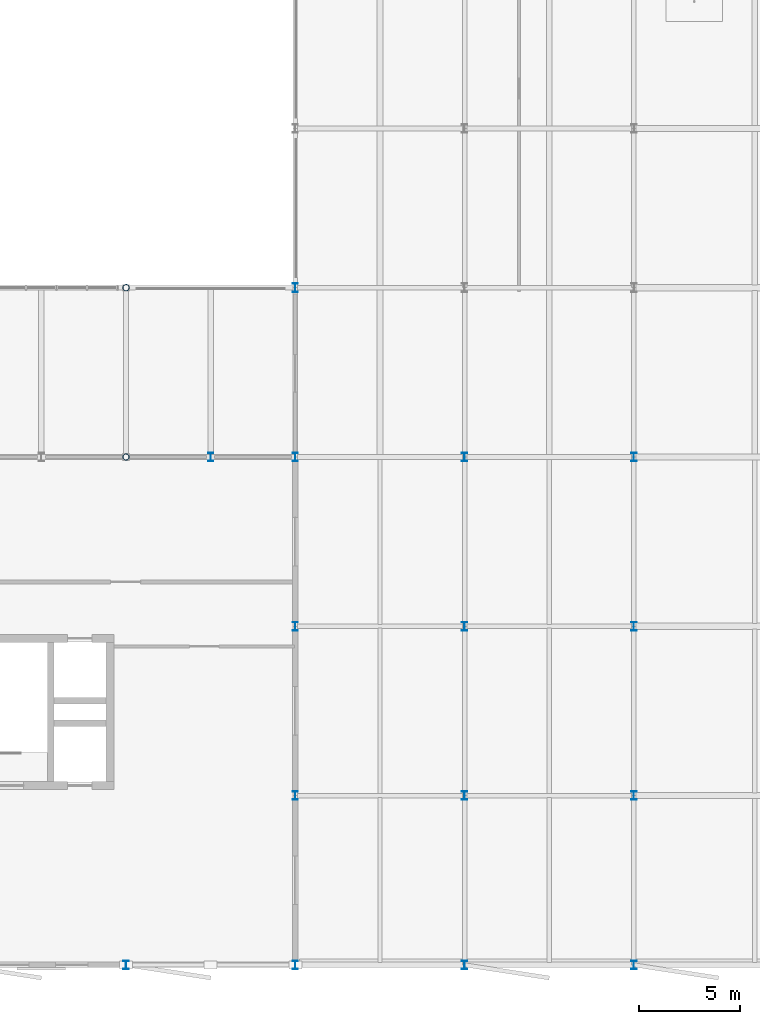
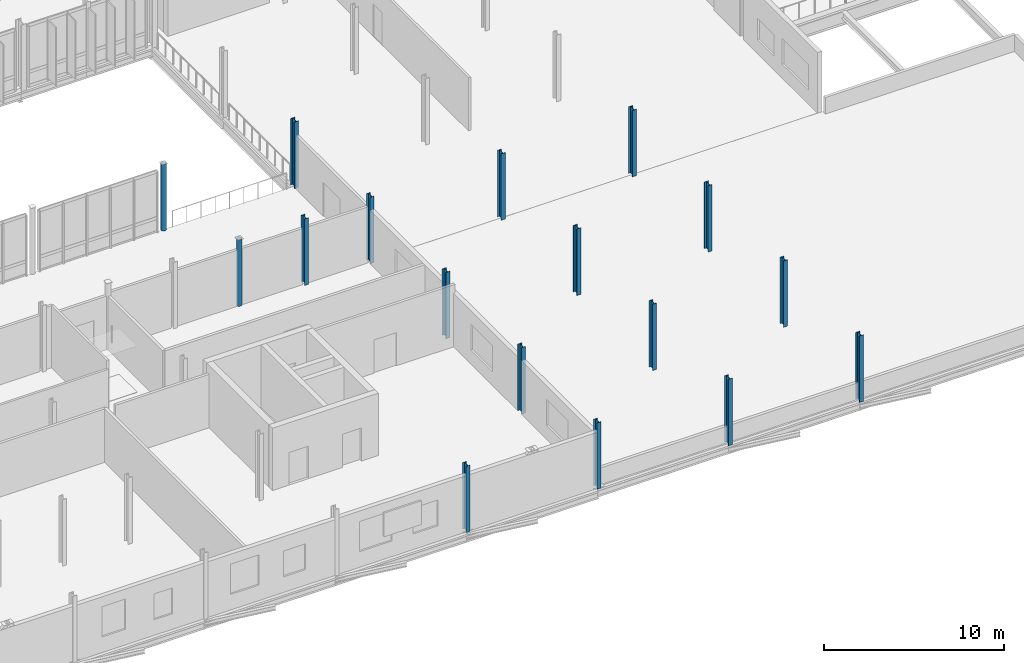
# One storey, part 13 of 139: 17 columns.
"""IFC4 building model written with IfcOpenShell, lengths in metres."""

from ifc_helpers import new_model, si_unit, derived_unit, direction, frame, origin, origin_2d, place, context, subcontext, project, spatial, hollow_circle, i_section, extrude, material, material_profile, profile_set, type_object, element, save


model = new_model("IFC4")

# Units and contexts
model_context = context("Model", 3, precision=1e-05, world=origin(), true_north=direction((0.0, 1.0)))
body_context = subcontext(model_context, "Body", "Model", "MODEL_VIEW")
ifc_project = project(units=[si_unit("LENGTHUNIT", "METRE"), si_unit("AREAUNIT", "SQUARE_METRE"), si_unit("VOLUMEUNIT", "CUBIC_METRE"), si_unit("PLANEANGLEUNIT", "RADIAN"), si_unit("MASSUNIT", "GRAM", prefix="KILO"), derived_unit("THERMALTRANSMITTANCEUNIT", [(si_unit("MASSUNIT", "GRAM", prefix="KILO"), 1), (si_unit("TIMEUNIT", "SECOND"), -3), (si_unit("THERMODYNAMICTEMPERATUREUNIT", "KELVIN"), -1)])], contexts=[model_context])

# Site, building, storey
site_placement = place(None, origin())
site = spatial("IfcSite", under=ifc_project, at=site_placement, CompositionType="ELEMENT")
building_placement = place(site_placement, origin())
building = spatial("IfcBuilding", under=site, at=building_placement, Name="Makaiwela Harbour Ferry Terminal", CompositionType="ELEMENT")
storey_placement = place(building_placement, frame((0.0, 0.0, 5.10009765625)))
storey = spatial("IfcBuildingStorey", under=building, at=storey_placement, Name="L01", CompositionType="ELEMENT", Elevation=5.10009765625)

# Columns
ifc_material_1 = material(Name="Steel ASTM A500 Grade C", Category="steel")
ifc_material_profile_1 = material_profile(ifc_material_1, hollow_circle(Radius=0.162109375, WallThickness=0.0126953125, at=origin_2d()), Name="PIPE12XS")
ifc_profile_set_1 = profile_set([ifc_material_profile_1], Name="Steel ASTM A500 Grade C")
column_type_1 = type_object("IfcColumnType", Name="STR-COL-PIPE12", PredefinedType="COLUMN", material=ifc_profile_set_1)
for number, where, z_axis, x_axis, name in (
    (1, (130.199951171875, 25.199951171875, 0.0), (0.0, 0.0, 1.0), (1.0, 0.0, 0.0), "Structural Column C-07"),
    (2, (130.199951171875, 33.60009765625, 0.0), (0.0, 0.0, 1.0), (1.0, 0.0, 0.0), "Structural Column C-07"),
):
    element("IfcColumn", number, at=place(storey_placement, frame(where, z_axis=z_axis, x_axis=x_axis)), inside=storey, type_object=column_type_1, Name=name, PredefinedType="COLUMN", context=body_context, shape_type="SweptSolid", body=[
        extrude(hollow_circle(Radius=0.162109375, WallThickness=0.0126953125, at=origin_2d()), origin(), (0.0, 0.0, 1.0), 4.5),
    ])
ifc_material_2 = material(Name="Steel ASTM A992 Grade 50", Category="steel")
ifc_material_profile_2 = material_profile(ifc_material_2, i_section(OverallWidth=0.264892578125, OverallDepth=0.430908203125, WebThickness=0.014892578125, FlangeThickness=0.02490234375, at=origin_2d()), Name="W16X100")
ifc_profile_set_2 = profile_set([ifc_material_profile_2], Name="Steel ASTM A992 Grade 50")
column_type_2 = type_object("IfcColumnType", Name="STR-COL-W16X100", PredefinedType="COLUMN", material=ifc_profile_set_2)
column_placement = place(storey_placement, frame((138.60009765625, 33.60009765625, 0.0), z_axis=(0.0, 0.0, 1.0), x_axis=(1.0, 0.0, 0.0)))
element("IfcColumn", 3, at=column_placement, inside=storey, type_object=column_type_2, Name="Structural Column C-03", PredefinedType="COLUMN", context=body_context, shape_type="SweptSolid", body=[
    extrude(i_section(OverallWidth=0.264892578125, OverallDepth=0.430908203125, WebThickness=0.014892578125, FlangeThickness=0.02490234375, at=origin_2d()), origin(), (0.0, 0.0, 1.0), 4.5),
])
ifc_material_profile_3 = material_profile(ifc_material_2, i_section(OverallWidth=0.260986328125, OverallDepth=0.4189453125, WebThickness=0.01171875, FlangeThickness=0.019287109375, at=origin_2d()), Name="W16X77")
ifc_profile_set_3 = profile_set([ifc_material_profile_3], Name="Steel ASTM A992 Grade 50")
column_type_3 = type_object("IfcColumnType", Name="STR-COL-W16X77", PredefinedType="COLUMN", material=ifc_profile_set_3)
for number, where, z_axis, x_axis, name in (
    (4, (130.199951171875, 0.0, 0.0), (0.0, 0.0, 1.0), (1.0, 0.0, 0.0), "Structural Column C-04"),
    (5, (138.60009765625, 0.0, 0.0), (0.0, 0.0, 1.0), (1.0, 0.0, 0.0), "Structural Column C-04"),
    (6, (138.60009765625, 8.39990234375, 0.0), (0.0, 0.0, 1.0), (1.0, 0.0, 0.0), "Structural Column C-04"),
    (7, (138.60009765625, 16.800048828125, 0.0), (0.0, 0.0, 1.0), (1.0, 0.0, 0.0), "Structural Column C-04"),
    (8, (138.60009765625, 25.199951171875, 0.0), (0.0, 0.0, 1.0), (1.0, 0.0, 0.0), "Structural Column C-04"),
    (9, (147.0, 0.0, 0.0), (0.0, 0.0, 1.0), (1.0, 0.0, 0.0), "Structural Column C-04"),
    (10, (147.0, 8.39990234375, 0.0), (0.0, 0.0, 1.0), (1.0, 0.0, 0.0), "Structural Column C-04"),
    (11, (147.0, 16.800048828125, 0.0), (0.0, 0.0, 1.0), (1.0, 0.0, 0.0), "Structural Column C-04"),
    (12, (147.0, 25.199951171875, 0.0), (0.0, 0.0, 1.0), (1.0, 0.0, 0.0), "Structural Column C-04"),
    (13, (155.39990234375, 0.0, 0.0), (0.0, 0.0, 1.0), (1.0, 0.0, 0.0), "Structural Column C-04"),
    (14, (155.39990234375, 8.39990234375, 0.0), (0.0, 0.0, 1.0), (1.0, 0.0, 0.0), "Structural Column C-04"),
    (15, (155.39990234375, 16.800048828125, 0.0), (0.0, 0.0, 1.0), (1.0, 0.0, 0.0), "Structural Column C-04"),
    (16, (155.39990234375, 25.199951171875, 0.0), (0.0, 0.0, 1.0), (1.0, 0.0, 0.0), "Structural Column C-04"),
    (17, (134.39990234375, 25.199951171875, 0.0), (0.0, 0.0, 1.0), (1.0, 0.0, 0.0), "Structural Column C-04"),
):
    element("IfcColumn", number, at=place(storey_placement, frame(where, z_axis=z_axis, x_axis=x_axis)), inside=storey, type_object=column_type_3, Name=name, PredefinedType="COLUMN", context=body_context, shape_type="SweptSolid", body=[
        extrude(i_section(OverallWidth=0.260986328125, OverallDepth=0.4189453125, WebThickness=0.01171875, FlangeThickness=0.019287109375, at=origin_2d()), origin(), (0.0, 0.0, 1.0), 4.5),
    ])

save(model, "model.ifc")
